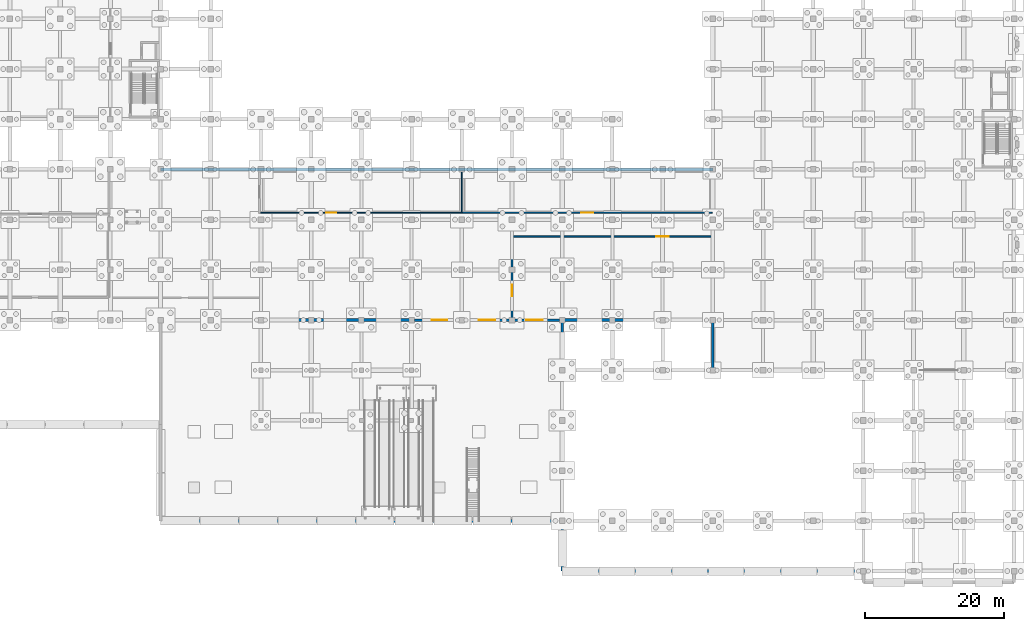
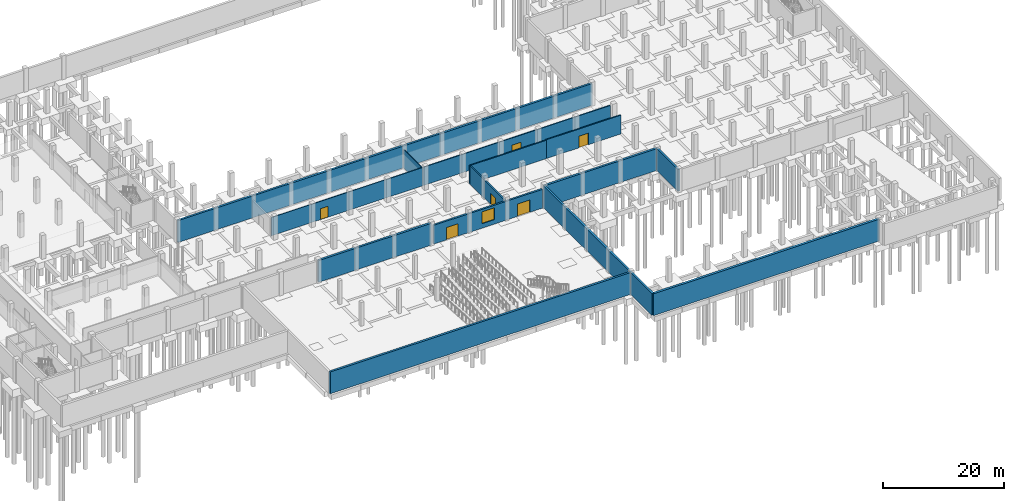
# One storey, part 25 of 38: 14 walls, 6 doors, 1 window, 7 openings.
"""IFC4 building model written with IfcOpenShell, lengths in metres."""

from ifc_helpers import new_model, si_unit, direction, frame, frame_2d, origin, place, context, subcontext, project, spatial, rectangle, extrude, material, layer, layer_set, type_object, element, fill, save


model = new_model("IFC4")

# Units and contexts
model_context = context("Model", 3, precision=1e-05, world=origin(), true_north=direction((0.0, 1.0)))
body_context = subcontext(model_context, "Body", "Model", "MODEL_VIEW")
ifc_project = project(units=[si_unit("LENGTHUNIT", "METRE"), si_unit("AREAUNIT", "SQUARE_METRE"), si_unit("VOLUMEUNIT", "CUBIC_METRE"), si_unit("PLANEANGLEUNIT", "RADIAN"), si_unit("MASSUNIT", "GRAM", prefix="KILO")], contexts=[model_context])

# Site, building, storey
site_placement = place(None, origin())
site = spatial("IfcSite", under=ifc_project, at=site_placement, CompositionType="ELEMENT")
building_placement = place(site_placement, origin())
building = spatial("IfcBuilding", under=site, at=building_placement, Name="Valkovuoma Quantum and Materials Research Institute", CompositionType="ELEMENT")
storey_placement = place(building_placement, frame((0.0, 0.0, -4.800048828125)))
storey = spatial("IfcBuildingStorey", under=building, at=storey_placement, Name="B1", CompositionType="ELEMENT", Elevation=-4.800048828125)

# Wall, openings, doors, window
ifc_material_1 = material(Name="Precast concrete C40/50", Category="concrete")
ifc_layer_1 = layer(ifc_material_1, 0.340087890625)
ifc_layer_set_1 = layer_set([ifc_layer_1], Name="Precast concrete C40/50")
wall_type_1 = type_object("IfcWallType", Name="Wall-W-EXT340", PredefinedType="SOLIDWALL", material=ifc_layer_set_1)
wall_1_placement = place(storey_placement, frame((79.590087890625, 36.0, 0.0), z_axis=(0.0, 0.0, 1.0), x_axis=(1.0, 0.0, 0.0)))
wall_1 = element("IfcWall", 1, at=wall_1_placement, inside=storey, type_object=wall_type_1, Name="B1 exterior wall 0027", PredefinedType="SOLIDWALL", context=body_context, shape_type="SweptSolid", body=[
    extrude(rectangle(XDim=20.81982421875, YDim=0.340087890625, at=frame_2d((10.409912109375, 0.0))), origin(), (0.0, 0.0, 1.0), 3.800048828125),
])
opening_1_placement = place(wall_1_placement, frame((2.5, 0.0, 0.0)))
opening_1 = element("IfcOpeningElement", 2, at=opening_1_placement, cuts=wall_1, Name="Opening ED-002", PredefinedType="OPENING", context=body_context, shape_type="SweptSolid", body=[
    extrude(rectangle(XDim=2.199951171875, YDim=2.5, at=frame_2d((1.10009765625, 1.25))), frame((0.0, 0.18017578125, 0.0), z_axis=(0.0, -1.0, 0.0), x_axis=(1.0, 0.0, 0.0)), (0.0, 0.0, 1.0), 0.360107421875),
])
opening_2_placement = place(wall_1_placement, frame((16.02001953125, 0.0, 0.0)))
opening_2 = element("IfcOpeningElement", 3, at=opening_2_placement, cuts=wall_1, Name="Opening ED-003", PredefinedType="OPENING", context=body_context, shape_type="SweptSolid", body=[
    extrude(rectangle(XDim=2.39990234375, YDim=2.5, at=frame_2d((1.199951171875, 1.25))), frame((0.0, 0.18017578125, 0.0), z_axis=(0.0, -1.0, 0.0), x_axis=(1.0, 0.0, 0.0)), (0.0, 0.0, 1.0), 0.360107421875),
])
opening_3_placement = place(wall_1_placement, frame((9.2099609375, 0.0, 0.89990234375)))
opening_3 = element("IfcOpeningElement", 4, at=opening_3_placement, cuts=wall_1, Name="Opening WN-LF03", PredefinedType="OPENING", context=body_context, shape_type="SweptSolid", body=[
    extrude(rectangle(XDim=2.39990234375, YDim=2.39990234375, at=frame_2d((1.199951171875, 1.199951171875))), frame((0.0, 0.18017578125, 0.0), z_axis=(0.0, -1.0, 0.0), x_axis=(1.0, 0.0, 0.0)), (0.0, 0.0, 1.0), 0.360107421875),
])
ifc_material_2 = material(Name="Thermally broken insulated aluminium and steel door", Category="steel")
door_type_1 = type_object("IfcDoorType", Name="Door-DR-EX04", OperationType="NOTDEFINED", PredefinedType="DOOR", material=ifc_material_2)
door_1_placement = place(opening_1_placement, frame((2.199951171875, 0.0, 0.0), z_axis=(0.0, 0.0, 1.0), x_axis=(-1.0, 0.0, 0.0)))
door_1 = element("IfcDoor", 5, at=door_1_placement, inside=storey, type_object=door_type_1, Name="B1 exterior door 002", OperationType="DOUBLE_DOOR_SINGLE_SWING", OverallHeight=2.5, OverallWidth=2.199951171875, PredefinedType="DOOR", context=body_context, shape_type="SweptSolid", body=[
    extrude(rectangle(XDim=2.199951171875, YDim=2.5, at=frame_2d((1.10009765625, 1.25))), frame((0.0, 0.02490234375, 0.0), z_axis=(0.0, -1.0, 0.0), x_axis=(1.0, 0.0, 0.0)), (0.0, 0.0, 1.0), 0.050048828125),
])
fill(opening_1, door_1)
ifc_material_3 = material(Name="Thermally broken insulated aluminium and steel door", Category="steel")
door_type_2 = type_object("IfcDoorType", Name="Door-DR-EX05", OperationType="NOTDEFINED", PredefinedType="DOOR", material=ifc_material_3)
door_2_placement = place(opening_2_placement, frame((2.39990234375, 0.0, 0.0), z_axis=(0.0, 0.0, 1.0), x_axis=(-1.0, 0.0, 0.0)))
door_2 = element("IfcDoor", 6, at=door_2_placement, inside=storey, type_object=door_type_2, Name="B1 exterior door 003", OperationType="DOUBLE_DOOR_SINGLE_SWING", OverallHeight=2.5, OverallWidth=2.39990234375, PredefinedType="DOOR", context=body_context, shape_type="SweptSolid", body=[
    extrude(rectangle(XDim=2.39990234375, YDim=2.5, at=frame_2d((1.199951171875, 1.25))), frame((0.0, 0.02490234375, 0.0), z_axis=(0.0, -1.0, 0.0), x_axis=(1.0, 0.0, 0.0)), (0.0, 0.0, 1.0), 0.050048828125),
])
fill(opening_2, door_2)
ifc_material_4 = material(Name="Triple low-E argon glazing in thermally broken aluminium frame", Category="aluminium")
window_type = type_object("IfcWindowType", Name="Win-WN-LF03", PartitioningType="SINGLE_PANEL", PredefinedType="WINDOW", material=ifc_material_4)
window_placement = place(opening_3_placement, origin())
window = element("IfcWindow", 7, at=window_placement, inside=storey, type_object=window_type, Name="B1 window 0001", OverallHeight=2.39990234375, OverallWidth=2.39990234375, PartitioningType="SINGLE_PANEL", PredefinedType="WINDOW", context=body_context, shape_type="SweptSolid", body=[
    extrude(rectangle(XDim=2.39990234375, YDim=2.39990234375, at=frame_2d((1.199951171875, 1.199951171875))), frame((0.0, 0.030029296875, 0.0), z_axis=(0.0, -1.0, 0.0), x_axis=(1.0, 0.0, 0.0)), (0.0, 0.0, 1.0), 0.06005859375),
])
fill(opening_3, window)

# Wall, opening, door
ifc_material_5 = material(Name="Acoustic write-up studio partition", Category="masonry")
ifc_layer_2 = layer(ifc_material_5, 0.14990234375)
ifc_layer_set_2 = layer_set([ifc_layer_2], Name="Acoustic write-up studio partition")
wall_type_2 = type_object("IfcWallType", Name="Wall-W-PRT150", PredefinedType="PARTITIONING", material=ifc_layer_set_2)
wall_2_placement = place(storey_placement, frame((57.52001953125, 51.39990234375, 0.0), z_axis=(0.0, 0.0, 1.0), x_axis=(1.0, 0.0, 0.0)))
wall_2 = element("IfcWall", 8, at=wall_2_placement, inside=storey, type_object=wall_type_2, Name="B1 partition 0020", PredefinedType="PARTITIONING", context=body_context, shape_type="SweptSolid", body=[
    extrude(rectangle(XDim=28.955078125, YDim=0.14990234375, at=frame_2d((14.4775390625, 0.0))), origin(), (0.0, 0.0, 1.0), 3.699951171875),
])
opening_4_placement = place(wall_2_placement, frame((9.4091796875, 0.0, 0.0)))
opening_4 = element("IfcOpeningElement", 9, at=opening_4_placement, cuts=wall_2, Name="Opening ID-0015", PredefinedType="OPENING", context=body_context, shape_type="SweptSolid", body=[
    extrude(rectangle(XDim=1.449951171875, YDim=2.199951171875, at=frame_2d((0.72509765625, 1.10009765625))), frame((0.0, 0.0849609375, 0.0), z_axis=(0.0, -1.0, 0.0), x_axis=(1.0, 0.0, 0.0)), (0.0, 0.0, 1.0), 0.169921875),
])
ifc_material_6 = material(Name="Powder-coated steel and acoustic timber door assembly", Category="steel")
door_type_3 = type_object("IfcDoorType", Name="Door-DR-SM03", OperationType="NOTDEFINED", PredefinedType="DOOR", material=ifc_material_6)
door_3_placement = place(opening_4_placement, origin())
door_3 = element("IfcDoor", 10, at=door_3_placement, inside=storey, type_object=door_type_3, Name="B1 room door 0015", OperationType="SINGLE_SWING_RIGHT", OverallHeight=2.199951171875, OverallWidth=1.449951171875, PredefinedType="DOOR", context=body_context, shape_type="SweptSolid", body=[
    extrude(rectangle(XDim=1.449951171875, YDim=2.199951171875, at=frame_2d((0.72509765625, 1.10009765625))), frame((0.0, 0.02490234375, 0.0), z_axis=(0.0, -1.0, 0.0), x_axis=(1.0, 0.0, 0.0)), (0.0, 0.0, 1.0), 0.050048828125),
])
fill(opening_4, door_3)

# Wall
wall_3_placement = place(storey_placement, frame((86.39990234375, 51.47509765625, 0.0), z_axis=(0.0, 0.0, 1.0), x_axis=(0.0, 1.0, 0.0)))
element("IfcWall", 11, at=wall_3_placement, inside=storey, type_object=wall_type_2, Name="B1 partition 0021", PredefinedType="PARTITIONING", context=body_context, shape_type="SweptSolid", body=[
    extrude(rectangle(XDim=5.9248046875, YDim=0.14990234375, at=frame_2d((2.96240234375, 0.0))), origin(), (0.0, 0.0, 1.0), 3.699951171875),
])

# Wall, opening, door
ifc_material_7 = material(Name="Laboratory fire-rated gypsum partition", Category="masonry")
ifc_layer_3 = layer(ifc_material_7, 0.179931640625)
ifc_layer_set_3 = layer_set([ifc_layer_3], Name="Laboratory fire-rated gypsum partition")
wall_type_3 = type_object("IfcWallType", Name="Wall-W-PRT180", PredefinedType="PARTITIONING", material=ifc_layer_set_3)
wall_4_placement = place(storey_placement, frame((86.47509765625, 51.39990234375, 0.0), z_axis=(0.0, 0.0, 1.0), x_axis=(1.0, 0.0, 0.0)))
wall_4 = element("IfcWall", 12, at=wall_4_placement, inside=storey, type_object=wall_type_3, Name="B1 partition 0022", PredefinedType="PARTITIONING", context=body_context, shape_type="SweptSolid", body=[
    extrude(rectangle(XDim=35.81494140625, YDim=0.179931640625, at=frame_2d((17.907470703125, 0.0))), origin(), (0.0, 0.0, 1.0), 3.699951171875),
])
opening_5_placement = place(wall_4_placement, frame((17.032470703125, 0.0, 0.0)))
opening_5 = element("IfcOpeningElement", 13, at=opening_5_placement, cuts=wall_4, Name="Opening ID-0016", PredefinedType="OPENING", context=body_context, shape_type="SweptSolid", body=[
    extrude(rectangle(XDim=1.75, YDim=2.25, at=frame_2d((0.875, 1.125))), frame((0.0, 0.10009765625, 0.0), z_axis=(0.0, -1.0, 0.0), x_axis=(1.0, 0.0, 0.0)), (0.0, 0.0, 1.0), 0.199951171875),
])
ifc_material_8 = material(Name="Powder-coated steel and acoustic timber door assembly", Category="steel")
door_type_4 = type_object("IfcDoorType", Name="Door-DR-SM04", OperationType="NOTDEFINED", PredefinedType="DOOR", material=ifc_material_8)
door_4_placement = place(opening_5_placement, origin())
door_4 = element("IfcDoor", 14, at=door_4_placement, inside=storey, type_object=door_type_4, Name="B1 room door 0016", OperationType="DOUBLE_DOOR_SINGLE_SWING", OverallHeight=2.25, OverallWidth=1.75, PredefinedType="DOOR", context=body_context, shape_type="SweptSolid", body=[
    extrude(rectangle(XDim=1.75, YDim=2.25, at=frame_2d((0.875, 1.125))), frame((0.0, 0.02490234375, 0.0), z_axis=(0.0, -1.0, 0.0), x_axis=(1.0, 0.0, 0.0)), (0.0, 0.0, 1.0), 0.050048828125),
])
fill(opening_5, door_4)

# Walls
ifc_material_9 = material(Name="Concrete C35/45", Category="concrete")
ifc_layer_4 = layer(ifc_material_9, 0.39990234375)
ifc_layer_set_4 = layer_set([ifc_layer_4], Name="Concrete C35/45")
wall_type_4 = type_object("IfcWallType", Name="Wall-W-RET400", PredefinedType="STANDARD", material=ifc_layer_set_4)
wall_5_placement = place(storey_placement, frame((100.800048828125, 0.0, 0.0), z_axis=(0.0, 0.0, 1.0), x_axis=(0.0, 1.0, 0.0)))
element("IfcWall", 15, at=wall_5_placement, inside=storey, type_object=wall_type_4, Name="B1 exterior wall 0012", PredefinedType="STANDARD", context=body_context, shape_type="SweptSolid", body=[
    extrude(rectangle(XDim=36.0, YDim=0.39990234375, at=frame_2d((18.0, 0.0))), origin(), (0.0, 0.0, 1.0), 4.400146484375),
])
wall_6_placement = place(storey_placement, frame((43.199951171875, 7.199951171875, 0.0), z_axis=(0.0, 0.0, 1.0), x_axis=(1.0, 0.0, 0.0)))
element("IfcWall", 16, at=wall_6_placement, inside=storey, type_object=wall_type_4, Name="B1 exterior wall 0013", PredefinedType="STANDARD", context=body_context, shape_type="SweptSolid", body=[
    extrude(rectangle(XDim=57.60009765625, YDim=0.39990234375, at=frame_2d((28.800048828125, 0.0))), origin(), (0.0, 0.0, 1.0), 4.400146484375),
])
wall_7_placement = place(storey_placement, frame((43.199951171875, 57.60009765625, 0.0), z_axis=(0.0, 0.0, 1.0), x_axis=(1.0, 0.0, 0.0)))
element("IfcWall", 17, at=wall_7_placement, inside=storey, type_object=wall_type_4, Name="B1 exterior wall 0018", PredefinedType="STANDARD", context=body_context, shape_type="SweptSolid", body=[
    extrude(rectangle(XDim=79.199951171875, YDim=0.39990234375, at=frame_2d((39.60009765625, 0.0))), origin(), (0.0, 0.0, 1.0), 4.400146484375),
])
wall_8_placement = place(storey_placement, frame((122.39990234375, 28.800048828125, 0.0), z_axis=(0.0, 0.0, 1.0), x_axis=(0.0, 1.0, 0.0)))
element("IfcWall", 18, at=wall_8_placement, inside=storey, type_object=wall_type_4, Name="B1 exterior wall 0022", PredefinedType="STANDARD", context=body_context, shape_type="SweptSolid", body=[
    extrude(rectangle(XDim=7.199951171875, YDim=0.39990234375, at=frame_2d((3.60009765625, 0.0))), origin(), (0.0, 0.0, 1.0), 4.400146484375),
])
for number, where, z_axis, x_axis, name in (
    (19, (57.60009765625, 36.0, 0.0), (0.0, 0.0, 1.0), (1.0, 0.0, 0.0), "B1 exterior wall 0026"),
    (20, (100.800048828125, 36.0, 0.0), (0.0, 0.0, 1.0), (1.0, 0.0, 0.0), "B1 exterior wall 0028"),
):
    element("IfcWall", number, at=place(storey_placement, frame(where, z_axis=z_axis, x_axis=x_axis)), inside=storey, type_object=wall_type_4, Name=name, PredefinedType="STANDARD", context=body_context, shape_type="SweptSolid", body=[
        extrude(rectangle(XDim=21.599853515625, YDim=0.39990234375, at=frame_2d((10.7998046875, 0.0))), origin(), (0.0, 0.0, 1.0), 4.400146484375),
    ])
ifc_material_10 = material(Name="Concrete C35/45", Category="concrete")
ifc_layer_5 = layer(ifc_material_10, 0.449951171875)
ifc_layer_set_5 = layer_set([ifc_layer_5], Name="Concrete C35/45")
wall_type_5 = type_object("IfcWallType", Name="Wall-W-RET450", PredefinedType="STANDARD", material=ifc_layer_set_5)
wall_9_placement = place(storey_placement, frame((100.800048828125, 0.0, 0.0), z_axis=(0.0, 0.0, 1.0), x_axis=(1.0, 0.0, 0.0)))
element("IfcWall", 21, at=wall_9_placement, inside=storey, type_object=wall_type_5, Name="B1 exterior wall 0011", PredefinedType="STANDARD", context=body_context, shape_type="SweptSolid", body=[
    extrude(rectangle(XDim=43.199951171875, YDim=0.449951171875, at=frame_2d((21.60009765625, 0.0))), origin(), (0.0, 0.0, 1.0), 4.400146484375),
])
ifc_material_11 = material(Name="Concrete C40/50", Category="concrete")
ifc_layer_6 = layer(ifc_material_11, 0.239990234375)
ifc_layer_set_6 = layer_set([ifc_layer_6], Name="Concrete C40/50")
wall_type_6 = type_object("IfcWallType", Name="Wall-W-SHF240", PredefinedType="SOLIDWALL", material=ifc_layer_set_6)
wall_10_placement = place(storey_placement, frame((93.47998046875, 48.0, 0.0), z_axis=(0.0, 0.0, 1.0), x_axis=(1.0, 0.0, 0.0)))
element("IfcWall", 22, at=wall_10_placement, inside=storey, type_object=wall_type_6, Name="B1 partition 0017", PredefinedType="SOLIDWALL", context=body_context, shape_type="SweptSolid", body=[
    extrude(rectangle(XDim=14.64013671875, YDim=0.239990234375, at=frame_2d((7.320068359375, 0.0))), origin(), (0.0, 0.0, 1.0), 3.699951171875),
])

# Wall, opening, door
wall_11_placement = place(storey_placement, frame((93.60009765625, 36.169921875, 0.0), z_axis=(0.0, 0.0, 1.0), x_axis=(0.0, 1.0, 0.0)))
wall_11 = element("IfcWall", 23, at=wall_11_placement, inside=storey, type_object=wall_type_6, Name="B1 partition 0018", PredefinedType="SOLIDWALL", context=body_context, shape_type="SweptSolid", body=[
    extrude(rectangle(XDim=11.7099609375, YDim=0.239990234375, at=frame_2d((5.85498046875, 0.0))), origin(), (0.0, 0.0, 1.0), 3.699951171875),
])
opening_6_placement = place(wall_11_placement, frame((3.2734375, 0.0, 0.0)))
opening_6 = element("IfcOpeningElement", 24, at=opening_6_placement, cuts=wall_11, Name="Opening ID-0013", PredefinedType="OPENING", context=body_context, shape_type="SweptSolid", body=[
    extrude(rectangle(XDim=1.64990234375, YDim=2.300048828125, at=frame_2d((0.824951171875, 1.14990234375))), frame((0.0, 0.1298828125, 0.0), z_axis=(0.0, -1.0, 0.0), x_axis=(1.0, 0.0, 0.0)), (0.0, 0.0, 1.0), 0.260009765625),
])
ifc_material_12 = material(Name="Powder-coated steel and acoustic timber door assembly", Category="steel")
door_type_5 = type_object("IfcDoorType", Name="Door-DR-PL01", OperationType="NOTDEFINED", PredefinedType="DOOR", material=ifc_material_12)
door_5_placement = place(opening_6_placement, origin())
door_5 = element("IfcDoor", 25, at=door_5_placement, inside=storey, type_object=door_type_5, Name="B1 room door 0013", OperationType="DOUBLE_DOOR_SINGLE_SWING", OverallHeight=2.300048828125, OverallWidth=1.64990234375, PredefinedType="DOOR", context=body_context, shape_type="SweptSolid", body=[
    extrude(rectangle(XDim=1.64990234375, YDim=2.300048828125, at=frame_2d((0.824951171875, 1.14990234375))), frame((0.0, 0.02490234375, 0.0), z_axis=(0.0, -1.0, 0.0), x_axis=(1.0, 0.0, 0.0)), (0.0, 0.0, 1.0), 0.050048828125),
])
fill(opening_6, door_5)

wall_12_placement = place(storey_placement, frame((108.080078125, 48.0, 0.0), z_axis=(0.0, 0.0, 1.0), x_axis=(1.0, 0.0, 0.0)))
wall_12 = element("IfcWall", 26, at=wall_12_placement, inside=storey, type_object=wall_type_6, Name="B1 partition 0019", PredefinedType="SOLIDWALL", context=body_context, shape_type="SweptSolid", body=[
    extrude(rectangle(XDim=14.239990234375, YDim=0.239990234375, at=frame_2d((7.1201171875, 0.0))), origin(), (0.0, 0.0, 1.0), 3.800048828125),
])
opening_7_placement = place(wall_12_placement, frame((6.219970703125, 0.0, 0.0)))
opening_7 = element("IfcOpeningElement", 27, at=opening_7_placement, cuts=wall_12, Name="Opening ID-0014", PredefinedType="OPENING", context=body_context, shape_type="SweptSolid", body=[
    extrude(rectangle(XDim=1.800048828125, YDim=2.35009765625, at=frame_2d((0.89990234375, 1.175048828125))), frame((0.0, 0.1298828125, 0.0), z_axis=(0.0, -1.0, 0.0), x_axis=(1.0, 0.0, 0.0)), (0.0, 0.0, 1.0), 0.260009765625),
])
ifc_material_13 = material(Name="Powder-coated steel and acoustic timber door assembly", Category="steel")
door_type_6 = type_object("IfcDoorType", Name="Door-DR-PL02", OperationType="NOTDEFINED", PredefinedType="DOOR", material=ifc_material_13)
door_6_placement = place(opening_7_placement, origin())
door_6 = element("IfcDoor", 28, at=door_6_placement, inside=storey, type_object=door_type_6, Name="B1 room door 0014", OperationType="DOUBLE_DOOR_SINGLE_SWING", OverallHeight=2.35009765625, OverallWidth=1.800048828125, PredefinedType="DOOR", context=body_context, shape_type="SweptSolid", body=[
    extrude(rectangle(XDim=1.800048828125, YDim=2.35009765625, at=frame_2d((0.89990234375, 1.175048828125))), frame((0.0, 0.02490234375, 0.0), z_axis=(0.0, -1.0, 0.0), x_axis=(1.0, 0.0, 0.0)), (0.0, 0.0, 1.0), 0.050048828125),
])
fill(opening_7, door_6)

save(model, "model.ifc")
